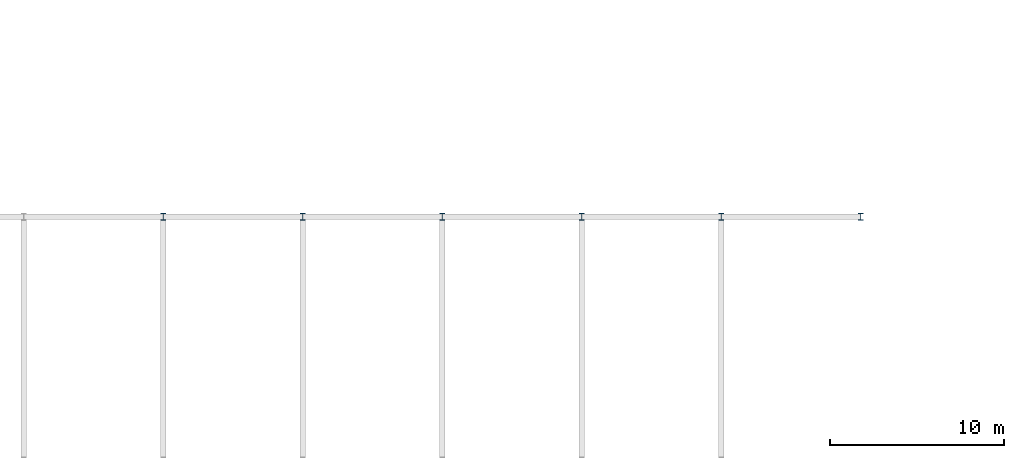
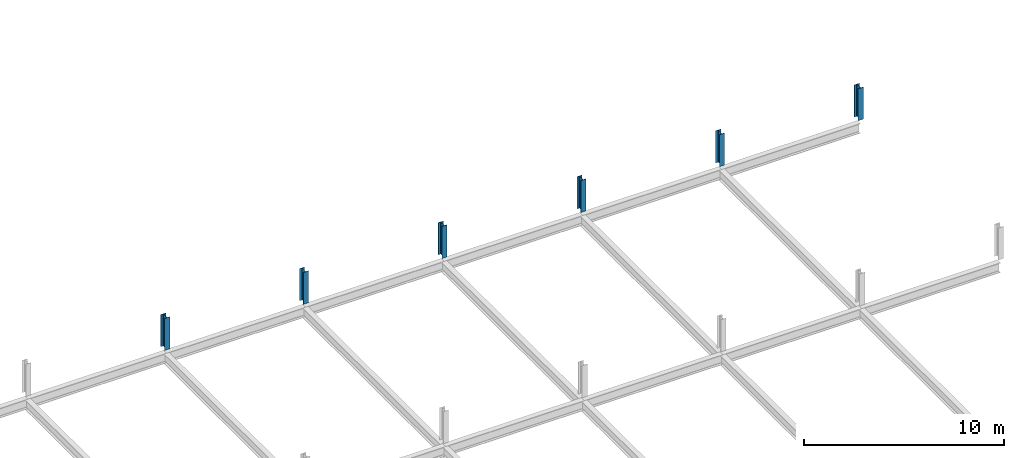
# One storey, part 4 of 25: 6 columns.
"""IFC4 building model written with IfcOpenShell, lengths in metres."""

from ifc_helpers import new_model, si_unit, direction, frame, origin, origin_2d, place, context, subcontext, project, spatial, i_section, extrude, material, material_profile, profile_set, type_object, element, save


model = new_model("IFC4")

# Units and contexts
model_context = context("Model", 3, precision=1e-05, world=origin(), true_north=direction((0.0, 1.0)))
body_context = subcontext(model_context, "Body", "Model", "MODEL_VIEW")
ifc_project = project(units=[si_unit("LENGTHUNIT", "METRE"), si_unit("AREAUNIT", "SQUARE_METRE"), si_unit("VOLUMEUNIT", "CUBIC_METRE"), si_unit("PLANEANGLEUNIT", "RADIAN"), si_unit("MASSUNIT", "GRAM", prefix="KILO")], contexts=[model_context])

# Site, building, storey
site_placement = place(None, origin())
site = spatial("IfcSite", under=ifc_project, at=site_placement, CompositionType="ELEMENT")
building_placement = place(site_placement, origin())
building = spatial("IfcBuilding", under=site, at=building_placement, Name="Vekula Escarpment Museum", CompositionType="ELEMENT")
storey_placement = place(building_placement, frame((0.0, 0.0, 26.39990234375)))
storey = spatial("IfcBuildingStorey", under=building, at=storey_placement, Name="L06", CompositionType="ELEMENT", Elevation=26.39990234375)

# Columns
ifc_material = material(Name="Steel S355", Category="steel")
ifc_material_profile = material_profile(ifc_material, i_section(OverallWidth=0.300048828125, OverallDepth=0.39990234375, WebThickness=0.013427734375, FlangeThickness=0.02392578125, FilletRadius=0.027099609375, at=origin_2d()), Name="HEB 400")
ifc_profile_set = profile_set([ifc_material_profile], Name="Steel S355")
column_type = type_object("IfcColumnType", Name="COL-S-HEB400", PredefinedType="COLUMN", material=ifc_profile_set)
for number, where, z_axis, x_axis, name in (
    (1, (86.0, 90.39990234375, 0.0), (0.0, 0.0, 1.0), (1.0, 0.0, 0.0), "Great Hall Roof Column L06 (86.0,90.4)"),
    (2, (94.0, 90.39990234375, 0.0), (0.0, 0.0, 1.0), (1.0, 0.0, 0.0), "Great Hall Roof Column L06 (94.0,90.4)"),
    (3, (102.0, 90.39990234375, 0.0), (0.0, 0.0, 1.0), (1.0, 0.0, 0.0), "Great Hall Roof Column L06 (102.0,90.4)"),
    (4, (110.0, 90.39990234375, 0.0), (0.0, 0.0, 1.0), (1.0, 0.0, 0.0), "Great Hall Roof Column L06 (110.0,90.4)"),
    (5, (118.0, 90.39990234375, 0.0), (0.0, 0.0, 1.0), (1.0, 0.0, 0.0), "Great Hall Roof Column L06 (118.0,90.4)"),
    (6, (126.0, 90.39990234375, 0.0), (0.0, 0.0, 1.0), (1.0, 0.0, 0.0), "Great Hall Roof Column L06 (126.0,90.4)"),
):
    element("IfcColumn", number, at=place(storey_placement, frame(where, z_axis=z_axis, x_axis=x_axis)), inside=storey, type_object=column_type, Name=name, PredefinedType="COLUMN", context=body_context, shape_type="SweptSolid", body=[
        extrude(i_section(OverallWidth=0.300048828125, OverallDepth=0.39990234375, WebThickness=0.013427734375, FlangeThickness=0.02392578125, FilletRadius=0.027099609375, at=origin_2d()), origin(), (0.0, 0.0, 1.0), 1.9501953125),
    ])

save(model, "model.ifc")
